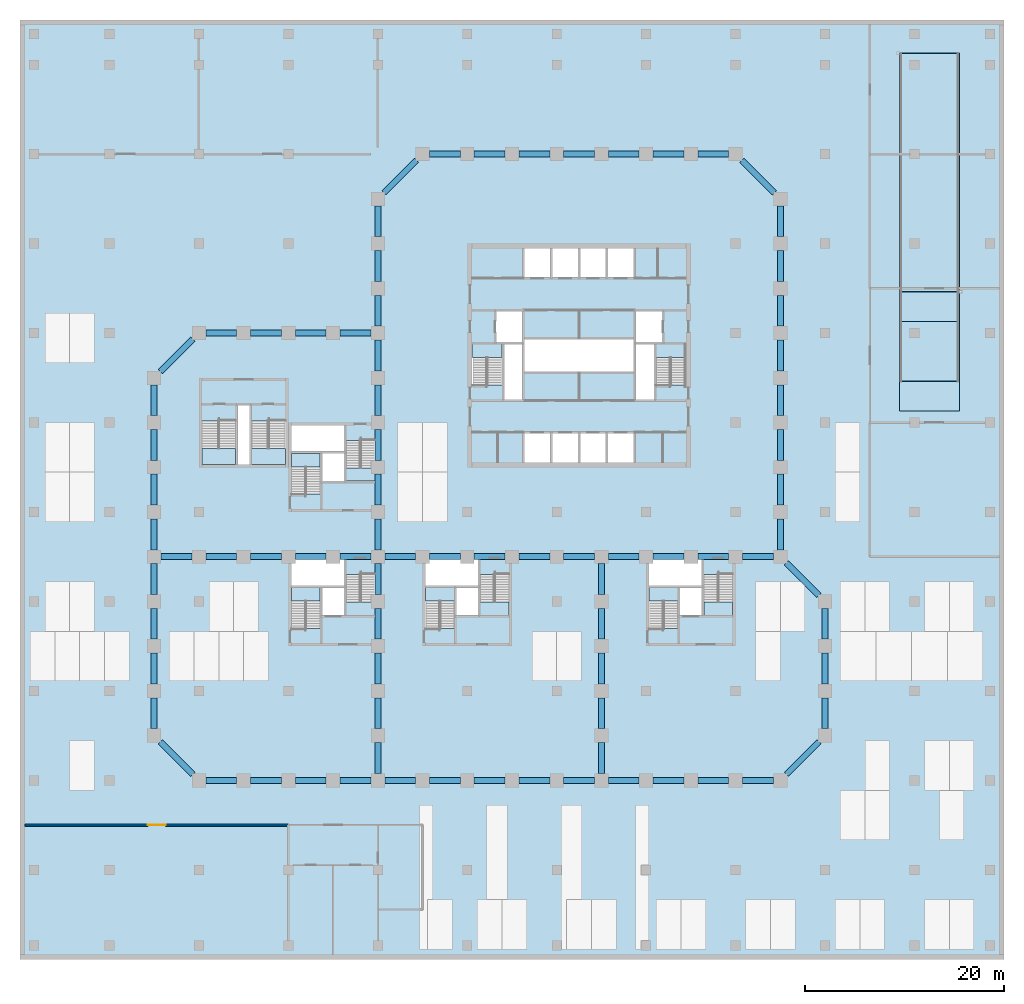
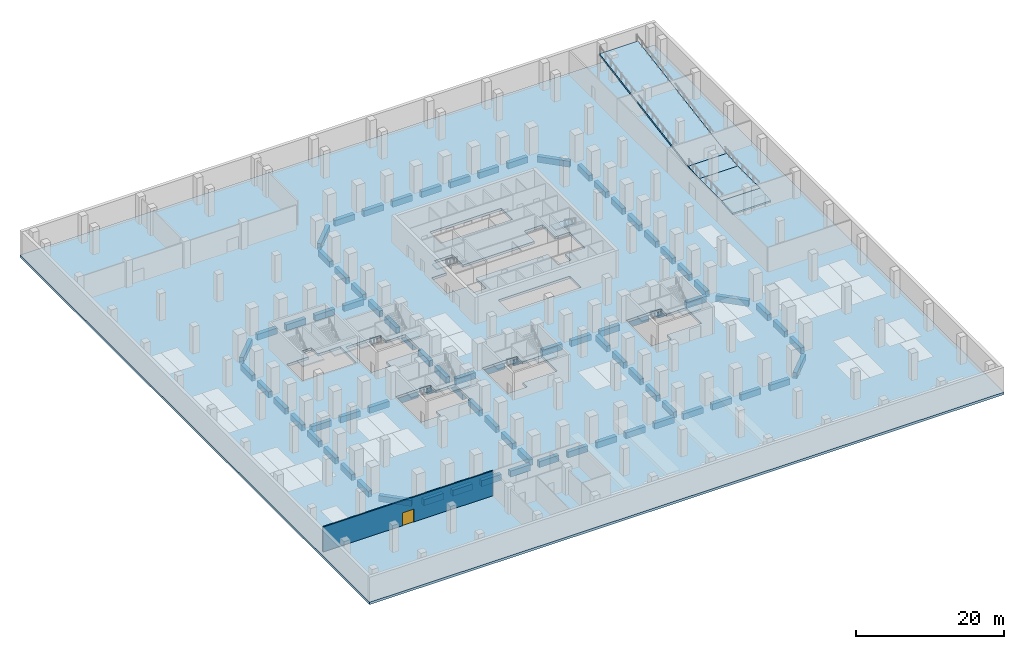
# One storey, part 3 of 16: 81 beams, 17 slabs, 1 door, 1 wall, 1 opening, 12 elements without a shape of their own.
"""IFC4 building model written with IfcOpenShell, lengths in metres."""

from ifc_helpers import new_model, si_unit, direction, frame, frame_2d, origin, origin_2d, place, context, subcontext, project, spatial, polyline, rectangle, outline, extrude, material, layer, layer_set, material_profile, profile_set, type_object, element, fill, aggregate, save


model = new_model("IFC4")

# Units and contexts
model_context = context("Model", 3, precision=1e-05, world=origin(), true_north=direction((0.0, 1.0)))
body_context = subcontext(model_context, "Body", "Model", "MODEL_VIEW")
ifc_project = project(units=[si_unit("LENGTHUNIT", "METRE"), si_unit("AREAUNIT", "SQUARE_METRE"), si_unit("VOLUMEUNIT", "CUBIC_METRE"), si_unit("PLANEANGLEUNIT", "RADIAN"), si_unit("MASSUNIT", "GRAM", prefix="KILO")], contexts=[model_context])

# Site, building, storey
site_placement = place(None, origin())
site = spatial("IfcSite", under=ifc_project, at=site_placement, CompositionType="ELEMENT")
building_placement = place(site_placement, origin())
building = spatial("IfcBuilding", under=site, at=building_placement, Name="Quoin Convention Tower", CompositionType="ELEMENT")
storey_placement = place(building_placement, frame((0.0, 0.0, -4.5)))
storey = spatial("IfcBuildingStorey", under=building, at=storey_placement, Name="B1", CompositionType="ELEMENT", Elevation=-4.5)

# Beams
ifc_material_1 = material(Name="Concrete C100 (100 MPa)", Category="concrete")
ifc_material_profile = material_profile(ifc_material_1, rectangle(XDim=0.60009765625, YDim=1.0, at=origin_2d()), Name="RC 600x1000")
ifc_profile_set = profile_set([ifc_material_profile], Name="Concrete C100 (100 MPa)")
beam_type = type_object("IfcBeamType", Name="RC 600x1000 C100", PredefinedType="SPANDREL", material=ifc_profile_set)
beam_1_placement = place(storey_placement, frame((14.114990234375, 21.885009765625, -0.89990234375), z_axis=(0.707106781187, -0.707106781187, 0.0), x_axis=(0.707106781187, 0.707106781187, 0.0)))
element("IfcBeam", 1, at=beam_1_placement, inside=storey, type_object=beam_type, Name="spd-B1-13500_22500-18000_18000", PredefinedType="SPANDREL", context=body_context, shape_type="SweptSolid", body=[
    extrude(rectangle(XDim=0.60009765625, YDim=1.0, at=origin_2d()), origin(), (0.0, 0.0, 1.0), 4.62451171875),
])
for number, where, z_axis, x_axis, name in (
    (2, (18.699951171875, 18.0, -0.89990234375), (1.0, 0.0, 0.0), (0.0, 1.0, 0.0), "spd-B1-18000_18000-22500_18000"),
    (3, (23.199951171875, 18.0, -0.89990234375), (1.0, 0.0, 0.0), (0.0, 1.0, 0.0), "spd-B1-22500_18000-27000_18000"),
    (4, (27.699951171875, 18.0, -0.89990234375), (1.0, 0.0, 0.0), (0.0, 1.0, 0.0), "spd-B1-27000_18000-31500_18000"),
    (5, (32.199951171875, 18.0, -0.89990234375), (1.0, 0.0, 0.0), (0.0, 1.0, 0.0), "spd-B1-31500_18000-36000_18000"),
    (6, (36.699951171875, 18.0, -0.89990234375), (1.0, 0.0, 0.0), (0.0, 1.0, 0.0), "spd-B1-36000_18000-40500_18000"),
    (7, (41.199951171875, 18.0, -0.89990234375), (1.0, 0.0, 0.0), (0.0, 1.0, 0.0), "spd-B1-40500_18000-45000_18000"),
    (8, (45.699951171875, 18.0, -0.89990234375), (1.0, 0.0, 0.0), (0.0, 1.0, 0.0), "spd-B1-45000_18000-49500_18000"),
    (9, (50.199951171875, 18.0, -0.89990234375), (1.0, 0.0, 0.0), (0.0, 1.0, 0.0), "spd-B1-49500_18000-54000_18000"),
    (10, (54.699951171875, 18.0, -0.89990234375), (1.0, 0.0, 0.0), (0.0, 1.0, 0.0), "spd-B1-54000_18000-58500_18000"),
    (11, (59.199951171875, 18.0, -0.89990234375), (1.0, 0.0, 0.0), (0.0, 1.0, 0.0), "spd-B1-58500_18000-63000_18000"),
    (12, (63.699951171875, 18.0, -0.89990234375), (1.0, 0.0, 0.0), (0.0, 1.0, 0.0), "spd-B1-63000_18000-67500_18000"),
    (13, (68.199951171875, 18.0, -0.89990234375), (1.0, 0.0, 0.0), (0.0, 1.0, 0.0), "spd-B1-67500_18000-72000_18000"),
    (14, (72.699951171875, 18.0, -0.89990234375), (1.0, 0.0, 0.0), (0.0, 1.0, 0.0), "spd-B1-72000_18000-76500_18000"),
):
    element("IfcBeam", number, at=place(storey_placement, frame(where, z_axis=z_axis, x_axis=x_axis)), inside=storey, type_object=beam_type, Name=name, PredefinedType="SPANDREL", context=body_context, shape_type="SweptSolid", body=[
        extrude(rectangle(XDim=0.60009765625, YDim=1.0, at=origin_2d()), origin(), (0.0, 0.0, 1.0), 3.10009765625),
    ])
beam_2_placement = place(storey_placement, frame((77.114990234375, 18.614990234375, -0.89990234375), z_axis=(0.707106781187, 0.707106781187, 0.0), x_axis=(-0.707106781187, 0.707106781187, 0.0)))
element("IfcBeam", 15, at=beam_2_placement, inside=storey, type_object=beam_type, Name="spd-B1-76500_18000-81000_22500", PredefinedType="SPANDREL", context=body_context, shape_type="SweptSolid", body=[
    extrude(rectangle(XDim=0.60009765625, YDim=1.0, at=origin_2d()), origin(), (0.0, 0.0, 1.0), 4.62451171875),
])
for number, where, z_axis, x_axis, name in (
    (16, (81.0, 23.199951171875, -0.89990234375), (0.0, 1.0, 0.0), (-1.0, 0.0, 0.0), "spd-B1-81000_22500-81000_27000"),
    (17, (81.0, 27.699951171875, -0.89990234375), (0.0, 1.0, 0.0), (-1.0, 0.0, 0.0), "spd-B1-81000_27000-81000_31500"),
    (18, (81.0, 32.199951171875, -0.89990234375), (0.0, 1.0, 0.0), (-1.0, 0.0, 0.0), "spd-B1-81000_31500-81000_36000"),
):
    element("IfcBeam", number, at=place(storey_placement, frame(where, z_axis=z_axis, x_axis=x_axis)), inside=storey, type_object=beam_type, Name=name, PredefinedType="SPANDREL", context=body_context, shape_type="SweptSolid", body=[
        extrude(rectangle(XDim=0.60009765625, YDim=1.0, at=origin_2d()), origin(), (0.0, 0.0, 1.0), 3.10009765625),
    ])
beam_3_placement = place(storey_placement, frame((80.385009765625, 36.614990234375, -0.89990234375), z_axis=(-0.707106781187, 0.707106781187, 0.0), x_axis=(-0.707106781187, -0.707106781187, 0.0)))
element("IfcBeam", 19, at=beam_3_placement, inside=storey, type_object=beam_type, Name="spd-B1-81000_36000-76500_40500", PredefinedType="SPANDREL", context=body_context, shape_type="SweptSolid", body=[
    extrude(rectangle(XDim=0.60009765625, YDim=1.0, at=origin_2d()), origin(), (0.0, 0.0, 1.0), 4.62451171875),
])
for number, where, z_axis, x_axis, name in (
    (20, (76.5, 41.199951171875, -0.89990234375), (0.0, 1.0, 0.0), (-1.0, 0.0, 0.0), "spd-B1-76500_40500-76500_45000"),
    (21, (76.5, 45.699951171875, -0.89990234375), (0.0, 1.0, 0.0), (-1.0, 0.0, 0.0), "spd-B1-76500_45000-76500_49500"),
    (22, (76.5, 50.199951171875, -0.89990234375), (0.0, 1.0, 0.0), (-1.0, 0.0, 0.0), "spd-B1-76500_49500-76500_54000"),
    (23, (76.5, 54.699951171875, -0.89990234375), (0.0, 1.0, 0.0), (-1.0, 0.0, 0.0), "spd-B1-76500_54000-76500_58500"),
    (24, (76.5, 59.199951171875, -0.89990234375), (0.0, 1.0, 0.0), (-1.0, 0.0, 0.0), "spd-B1-76500_58500-76500_63000"),
    (25, (76.5, 63.699951171875, -0.89990234375), (0.0, 1.0, 0.0), (-1.0, 0.0, 0.0), "spd-B1-76500_63000-76500_67500"),
    (26, (76.5, 68.199951171875, -0.89990234375), (0.0, 1.0, 0.0), (-1.0, 0.0, 0.0), "spd-B1-76500_67500-76500_72000"),
    (27, (76.5, 72.699951171875, -0.89990234375), (0.0, 1.0, 0.0), (-1.0, 0.0, 0.0), "spd-B1-76500_72000-76500_76500"),
):
    element("IfcBeam", number, at=place(storey_placement, frame(where, z_axis=z_axis, x_axis=x_axis)), inside=storey, type_object=beam_type, Name=name, PredefinedType="SPANDREL", context=body_context, shape_type="SweptSolid", body=[
        extrude(rectangle(XDim=0.60009765625, YDim=1.0, at=origin_2d()), origin(), (0.0, 0.0, 1.0), 3.10009765625),
    ])
beam_4_placement = place(storey_placement, frame((75.885009765625, 77.114990234375, -0.89990234375), z_axis=(-0.707106781187, 0.707106781187, 0.0), x_axis=(-0.707106781187, -0.707106781187, 0.0)))
element("IfcBeam", 28, at=beam_4_placement, inside=storey, type_object=beam_type, Name="spd-B1-76500_76500-72000_81000", PredefinedType="SPANDREL", context=body_context, shape_type="SweptSolid", body=[
    extrude(rectangle(XDim=0.60009765625, YDim=1.0, at=origin_2d()), origin(), (0.0, 0.0, 1.0), 4.62451171875),
])
for number, where, z_axis, x_axis, name in (
    (29, (71.300048828125, 81.0, -0.89990234375), (-1.0, 0.0, 0.0), (0.0, -1.0, 0.0), "spd-B1-72000_81000-67500_81000"),
    (30, (66.800048828125, 81.0, -0.89990234375), (-1.0, 0.0, 0.0), (0.0, -1.0, 0.0), "spd-B1-67500_81000-63000_81000"),
    (31, (62.300048828125, 81.0, -0.89990234375), (-1.0, 0.0, 0.0), (0.0, -1.0, 0.0), "spd-B1-63000_81000-58500_81000"),
    (32, (57.800048828125, 81.0, -0.89990234375), (-1.0, 0.0, 0.0), (0.0, -1.0, 0.0), "spd-B1-58500_81000-54000_81000"),
    (33, (53.300048828125, 81.0, -0.89990234375), (-1.0, 0.0, 0.0), (0.0, -1.0, 0.0), "spd-B1-54000_81000-49500_81000"),
    (34, (48.800048828125, 81.0, -0.89990234375), (-1.0, 0.0, 0.0), (0.0, -1.0, 0.0), "spd-B1-49500_81000-45000_81000"),
    (35, (44.300048828125, 81.0, -0.89990234375), (-1.0, 0.0, 0.0), (0.0, -1.0, 0.0), "spd-B1-45000_81000-40500_81000"),
):
    element("IfcBeam", number, at=place(storey_placement, frame(where, z_axis=z_axis, x_axis=x_axis)), inside=storey, type_object=beam_type, Name=name, PredefinedType="SPANDREL", context=body_context, shape_type="SweptSolid", body=[
        extrude(rectangle(XDim=0.60009765625, YDim=1.0, at=origin_2d()), origin(), (0.0, 0.0, 1.0), 3.10009765625),
    ])
beam_5_placement = place(storey_placement, frame((39.885009765625, 80.385009765625, -0.89990234375), z_axis=(-0.707106781187, -0.707106781187, 0.0), x_axis=(0.707106781187, -0.707106781187, 0.0)))
element("IfcBeam", 36, at=beam_5_placement, inside=storey, type_object=beam_type, Name="spd-B1-40500_81000-36000_76500", PredefinedType="SPANDREL", context=body_context, shape_type="SweptSolid", body=[
    extrude(rectangle(XDim=0.60009765625, YDim=1.0, at=origin_2d()), origin(), (0.0, 0.0, 1.0), 4.62451171875),
])
for number, where, z_axis, x_axis, name in (
    (37, (36.0, 75.800048828125, -0.89990234375), (0.0, -1.0, 0.0), (1.0, 0.0, 0.0), "spd-B1-36000_76500-36000_72000"),
    (38, (36.0, 71.300048828125, -0.89990234375), (0.0, -1.0, 0.0), (1.0, 0.0, 0.0), "spd-B1-36000_72000-36000_67500"),
    (39, (36.0, 66.800048828125, -0.89990234375), (0.0, -1.0, 0.0), (1.0, 0.0, 0.0), "spd-B1-36000_67500-36000_63000"),
    (40, (35.300048828125, 63.0, -0.89990234375), (-1.0, 0.0, 0.0), (0.0, -1.0, 0.0), "spd-B1-36000_63000-31500_63000"),
    (41, (30.800048828125, 63.0, -0.89990234375), (-1.0, 0.0, 0.0), (0.0, -1.0, 0.0), "spd-B1-31500_63000-27000_63000"),
    (42, (26.300048828125, 63.0, -0.89990234375), (-1.0, 0.0, 0.0), (0.0, -1.0, 0.0), "spd-B1-27000_63000-22500_63000"),
    (43, (21.800048828125, 63.0, -0.89990234375), (-1.0, 0.0, 0.0), (0.0, -1.0, 0.0), "spd-B1-22500_63000-18000_63000"),
):
    element("IfcBeam", number, at=place(storey_placement, frame(where, z_axis=z_axis, x_axis=x_axis)), inside=storey, type_object=beam_type, Name=name, PredefinedType="SPANDREL", context=body_context, shape_type="SweptSolid", body=[
        extrude(rectangle(XDim=0.60009765625, YDim=1.0, at=origin_2d()), origin(), (0.0, 0.0, 1.0), 3.10009765625),
    ])
beam_6_placement = place(storey_placement, frame((17.385009765625, 62.385009765625, -0.89990234375), z_axis=(-0.707106781187, -0.707106781187, 0.0), x_axis=(0.707106781187, -0.707106781187, 0.0)))
element("IfcBeam", 44, at=beam_6_placement, inside=storey, type_object=beam_type, Name="spd-B1-18000_63000-13500_58500", PredefinedType="SPANDREL", context=body_context, shape_type="SweptSolid", body=[
    extrude(rectangle(XDim=0.60009765625, YDim=1.0, at=origin_2d()), origin(), (0.0, 0.0, 1.0), 4.62451171875),
])
for number, where, z_axis, x_axis, name in (
    (45, (13.5, 57.800048828125, -0.89990234375), (0.0, -1.0, 0.0), (1.0, 0.0, 0.0), "spd-B1-13500_58500-13500_54000"),
    (46, (13.5, 53.300048828125, -0.89990234375), (0.0, -1.0, 0.0), (1.0, 0.0, 0.0), "spd-B1-13500_54000-13500_49500"),
    (47, (13.5, 48.800048828125, -0.89990234375), (0.0, -1.0, 0.0), (1.0, 0.0, 0.0), "spd-B1-13500_49500-13500_45000"),
    (48, (13.5, 44.300048828125, -0.89990234375), (0.0, -1.0, 0.0), (1.0, 0.0, 0.0), "spd-B1-13500_45000-13500_40500"),
    (49, (13.5, 39.800048828125, -0.89990234375), (0.0, -1.0, 0.0), (1.0, 0.0, 0.0), "spd-B1-13500_40500-13500_36000"),
    (50, (13.5, 35.300048828125, -0.89990234375), (0.0, -1.0, 0.0), (1.0, 0.0, 0.0), "spd-B1-13500_36000-13500_31500"),
    (51, (13.5, 30.800048828125, -0.89990234375), (0.0, -1.0, 0.0), (1.0, 0.0, 0.0), "spd-B1-13500_31500-13500_27000"),
    (52, (13.5, 26.300048828125, -0.89990234375), (0.0, -1.0, 0.0), (1.0, 0.0, 0.0), "spd-B1-13500_27000-13500_22500"),
    (53, (14.199951171875, 40.5, -0.89990234375), (1.0, 0.0, 0.0), (0.0, 1.0, 0.0), "spd-B1-13500_40500-18000_40500"),
    (54, (18.699951171875, 40.5, -0.89990234375), (1.0, 0.0, 0.0), (0.0, 1.0, 0.0), "spd-B1-18000_40500-22500_40500"),
    (55, (23.199951171875, 40.5, -0.89990234375), (1.0, 0.0, 0.0), (0.0, 1.0, 0.0), "spd-B1-22500_40500-27000_40500"),
    (56, (27.699951171875, 40.5, -0.89990234375), (1.0, 0.0, 0.0), (0.0, 1.0, 0.0), "spd-B1-27000_40500-31500_40500"),
    (57, (32.199951171875, 40.5, -0.89990234375), (1.0, 0.0, 0.0), (0.0, 1.0, 0.0), "spd-B1-31500_40500-36000_40500"),
    (58, (36.699951171875, 40.5, -0.89990234375), (1.0, 0.0, 0.0), (0.0, 1.0, 0.0), "spd-B1-36000_40500-40500_40500"),
    (59, (41.199951171875, 40.5, -0.89990234375), (1.0, 0.0, 0.0), (0.0, 1.0, 0.0), "spd-B1-40500_40500-45000_40500"),
    (60, (45.699951171875, 40.5, -0.89990234375), (1.0, 0.0, 0.0), (0.0, 1.0, 0.0), "spd-B1-45000_40500-49500_40500"),
    (61, (50.199951171875, 40.5, -0.89990234375), (1.0, 0.0, 0.0), (0.0, 1.0, 0.0), "spd-B1-49500_40500-54000_40500"),
    (62, (54.699951171875, 40.5, -0.89990234375), (1.0, 0.0, 0.0), (0.0, 1.0, 0.0), "spd-B1-54000_40500-58500_40500"),
    (63, (59.199951171875, 40.5, -0.89990234375), (1.0, 0.0, 0.0), (0.0, 1.0, 0.0), "spd-B1-58500_40500-63000_40500"),
    (64, (63.699951171875, 40.5, -0.89990234375), (1.0, 0.0, 0.0), (0.0, 1.0, 0.0), "spd-B1-63000_40500-67500_40500"),
    (65, (68.199951171875, 40.5, -0.89990234375), (1.0, 0.0, 0.0), (0.0, 1.0, 0.0), "spd-B1-67500_40500-72000_40500"),
    (66, (72.699951171875, 40.5, -0.89990234375), (1.0, 0.0, 0.0), (0.0, 1.0, 0.0), "spd-B1-72000_40500-76500_40500"),
    (67, (36.0, 18.699951171875, -0.89990234375), (0.0, 1.0, 0.0), (-1.0, 0.0, 0.0), "spd-B1-36000_18000-36000_22500"),
    (68, (36.0, 23.199951171875, -0.89990234375), (0.0, 1.0, 0.0), (-1.0, 0.0, 0.0), "spd-B1-36000_22500-36000_27000"),
    (69, (36.0, 27.699951171875, -0.89990234375), (0.0, 1.0, 0.0), (-1.0, 0.0, 0.0), "spd-B1-36000_27000-36000_31500"),
    (70, (36.0, 32.199951171875, -0.89990234375), (0.0, 1.0, 0.0), (-1.0, 0.0, 0.0), "spd-B1-36000_31500-36000_36000"),
    (71, (36.0, 36.699951171875, -0.89990234375), (0.0, 1.0, 0.0), (-1.0, 0.0, 0.0), "spd-B1-36000_36000-36000_40500"),
    (72, (36.0, 41.199951171875, -0.89990234375), (0.0, 1.0, 0.0), (-1.0, 0.0, 0.0), "spd-B1-36000_40500-36000_45000"),
    (73, (36.0, 45.699951171875, -0.89990234375), (0.0, 1.0, 0.0), (-1.0, 0.0, 0.0), "spd-B1-36000_45000-36000_49500"),
    (74, (36.0, 50.199951171875, -0.89990234375), (0.0, 1.0, 0.0), (-1.0, 0.0, 0.0), "spd-B1-36000_49500-36000_54000"),
    (75, (36.0, 54.699951171875, -0.89990234375), (0.0, 1.0, 0.0), (-1.0, 0.0, 0.0), "spd-B1-36000_54000-36000_58500"),
    (76, (36.0, 59.199951171875, -0.89990234375), (0.0, 1.0, 0.0), (-1.0, 0.0, 0.0), "spd-B1-36000_58500-36000_63000"),
    (77, (58.5, 18.699951171875, -0.89990234375), (0.0, 1.0, 0.0), (-1.0, 0.0, 0.0), "spd-B1-58500_18000-58500_22500"),
    (78, (58.5, 23.199951171875, -0.89990234375), (0.0, 1.0, 0.0), (-1.0, 0.0, 0.0), "spd-B1-58500_22500-58500_27000"),
    (79, (58.5, 27.699951171875, -0.89990234375), (0.0, 1.0, 0.0), (-1.0, 0.0, 0.0), "spd-B1-58500_27000-58500_31500"),
    (80, (58.5, 32.199951171875, -0.89990234375), (0.0, 1.0, 0.0), (-1.0, 0.0, 0.0), "spd-B1-58500_31500-58500_36000"),
    (81, (58.5, 36.699951171875, -0.89990234375), (0.0, 1.0, 0.0), (-1.0, 0.0, 0.0), "spd-B1-58500_36000-58500_40500"),
):
    element("IfcBeam", number, at=place(storey_placement, frame(where, z_axis=z_axis, x_axis=x_axis)), inside=storey, type_object=beam_type, Name=name, PredefinedType="SPANDREL", context=body_context, shape_type="SweptSolid", body=[
        extrude(rectangle(XDim=0.60009765625, YDim=1.0, at=origin_2d()), origin(), (0.0, 0.0, 1.0), 3.10009765625),
    ])

# Slabs
ifc_material_2 = material(Name="Concrete C40", Category="concrete")
ifc_layer_1 = layer(ifc_material_2, 0.300048828125)
ifc_layer_set_1 = layer_set([ifc_layer_1], Name="Concrete C40")
slab_type_1 = type_object("IfcSlabType", Name="Car ramp slab", PredefinedType="USERDEFINED", material=ifc_layer_set_1)
slab_1_placement = place(storey_placement, frame((88.5, 91.14990234375, 4.25), z_axis=(0.0, -0.164398987305, 0.986393923832), x_axis=(1.0, 0.0, 0.0)))
element("IfcSlab", 82, at=slab_1_placement, inside=storey, type_object=slab_type_1, Name="CAR RAMP 1MAIN", ObjectType="VEHICLE RAMP SLAB", PredefinedType="USERDEFINED", context=body_context, shape_type="SweptSolid", body=[
    extrude(outline(polyline([(0.0, 0.0), (6.0, 0.0), (6.0, -24.33105012119288), (0.0, -24.33105012119288), (0.0, 0.0)])), origin(), (0.0, 0.0, -1.0), 0.300048828125),
])
slab_2_placement = place(storey_placement, frame((88.5, 67.14990234375, 0.25), z_axis=(0.0, -0.083045479854, 0.996545758245), x_axis=(1.0, 0.0, 0.0)))
element("IfcSlab", 83, at=slab_2_placement, inside=storey, type_object=slab_type_1, Name="CAR RAMP 1FOOT", ObjectType="VEHICLE RAMP SLAB", PredefinedType="USERDEFINED", context=body_context, shape_type="SweptSolid", body=[
    extrude(outline(polyline([(0.0, 0.0), (6.0, 0.0), (6.0, -3.010398644698074), (0.0, -3.010398644698074), (0.0, 0.0)])), origin(), (0.0, 0.0, -1.0), 0.300048828125),
])
slab_3_placement = place(storey_placement, frame((88.5, 64.14990234375, 0.0), z_axis=(0.0, 0.0, 1.0), x_axis=(1.0, 0.0, 0.0)))
element("IfcSlab", 84, at=slab_3_placement, inside=storey, type_object=slab_type_1, Name="CAR RAMP 1FLAT", ObjectType="VEHICLE RAMP SLAB", PredefinedType="USERDEFINED", context=body_context, shape_type="SweptSolid", body=[
    extrude(outline(polyline([(0.0, 0.0), (6.0, 0.0), (6.0, -6.0), (0.0, -6.0), (0.0, 0.0)])), origin(), (0.0, 0.0, -1.0), 0.300048828125),
])
slab_4_placement = place(storey_placement, frame((88.5, 58.14990234375, 0.0), z_axis=(0.0, -0.083045479854, 0.996545758245), x_axis=(1.0, 0.0, 0.0)))
element("IfcSlab", 85, at=slab_4_placement, inside=storey, type_object=slab_type_1, Name="CAR RAMP 2TOP", ObjectType="VEHICLE RAMP SLAB", PredefinedType="USERDEFINED", context=body_context, shape_type="SweptSolid", body=[
    extrude(outline(polyline([(0.0, 0.0), (6.0, 0.0), (6.0, -3.010398644698074), (0.0, -3.010398644698074), (0.0, 0.0)])), origin(), (0.0, 0.0, -1.0), 0.300048828125),
])
ifc_material_3 = material(Name="Concrete C65", Category="concrete")
ifc_layer_2 = layer(ifc_material_3, 0.39990234375)
ifc_layer_set_2 = layer_set([ifc_layer_2], Name="Concrete C65")
slab_type_2 = type_object("IfcSlabType", Name="RC SLAB 400 C65", PredefinedType="FLOOR", material=ifc_layer_set_2)
slab_5_placement = place(storey_placement, frame((0.0, 0.0, -0.39990234375)))
element("IfcSlab", 86, at=slab_5_placement, inside=storey, type_object=slab_type_2, Name="slb-B1", PredefinedType="FLOOR", context=body_context, shape_type="SweptSolid", body=[
    extrude(outline(polyline([(0.0, 0.0), (0.0, 94.5), (99.0, 94.5), (99.0, 0.0), (0.0, 0.0)]), holes=[polyline([(30.300048828125, 33.300537109375), (30.300048828125, 34.5), (32.699951171875, 34.5), (35.699951171875, 34.5), (35.699951171875, 38.699462890625), (32.699951171875, 38.699462890625), (32.699951171875, 40.199951171875), (27.300048828125, 40.199951171875), (27.300048828125, 37.5), (27.300048828125, 33.300537109375), (30.300048828125, 33.300537109375)]), polyline([(43.800048828125, 33.300537109375), (43.800048828125, 34.5), (46.199951171875, 34.5), (49.199951171875, 34.5), (49.199951171875, 38.699462890625), (46.199951171875, 38.699462890625), (46.199951171875, 40.199951171875), (40.800048828125, 40.199951171875), (40.800048828125, 37.5), (40.800048828125, 33.300537109375), (43.800048828125, 33.300537109375)]), polyline([(27.300048828125, 53.699951171875), (27.300048828125, 51.0), (27.300048828125, 46.800537109375), (30.300048828125, 46.800537109375), (30.300048828125, 48.0), (32.699951171875, 48.0), (35.699951171875, 48.0), (35.699951171875, 52.199462890625), (32.699951171875, 52.199462890625), (32.699951171875, 53.699951171875), (27.300048828125, 53.699951171875)]), polyline([(21.800048828125, 55.85009765625), (21.800048828125, 54.1494140625), (18.300048828125, 54.1494140625), (18.300048828125, 49.800048828125), (21.800048828125, 49.800048828125), (23.199951171875, 49.800048828125), (26.699951171875, 49.800048828125), (26.699951171875, 54.1494140625), (23.199951171875, 54.1494140625), (23.199951171875, 55.85009765625), (21.800048828125, 55.85009765625)]), polyline([(47.800048828125, 65.300048828125), (47.800048828125, 62.0), (45.5, 62.0), (45.5, 57.800537109375), (48.60009765625, 57.800537109375), (48.60009765625, 56.199951171875), (50.64990234375, 56.199951171875), (50.64990234375, 59.0), (61.85009765625, 59.0), (61.85009765625, 56.199951171875), (63.89990234375, 56.199951171875), (63.89990234375, 57.800537109375), (67.0, 57.800537109375), (67.0, 62.0), (64.699951171875, 62.0), (64.699951171875, 65.300048828125), (61.85009765625, 65.300048828125), (61.85009765625, 62.5), (50.64990234375, 62.5), (50.64990234375, 65.300048828125), (47.800048828125, 65.300048828125)]), polyline([(63.300048828125, 40.199951171875), (63.300048828125, 37.5), (63.300048828125, 33.300537109375), (66.300048828125, 33.300537109375), (66.300048828125, 34.5), (68.699951171875, 34.5), (71.699951171875, 34.5), (71.699951171875, 38.699462890625), (68.699951171875, 38.699462890625), (68.699951171875, 40.199951171875), (63.300048828125, 40.199951171875)]), polyline([(56.25, 53.0), (53.449951171875, 53.0), (50.64990234375, 53.0), (50.64990234375, 50.0), (53.449951171875, 50.0), (56.25, 50.0), (59.050048828125, 50.0), (61.85009765625, 50.0), (61.85009765625, 53.0), (59.050048828125, 53.0), (56.25, 53.0)]), polyline([(61.85009765625, 68.5), (61.85009765625, 71.5), (59.050048828125, 71.5), (56.25, 71.5), (53.449951171875, 71.5), (50.64990234375, 71.5), (50.64990234375, 68.5), (53.449951171875, 68.5), (56.25, 68.5), (59.050048828125, 68.5), (61.85009765625, 68.5)])]), origin(), (0.0, 0.0, 1.0), 0.39990234375),
])

# Stair, slab
stair_type_1 = type_object("IfcStairType", Name="Exit stair two-flight 1350", PredefinedType="HALF_TURN_STAIR", material=ifc_material_2)
stair_1_placement = place(storey_placement, origin())
stair_1 = element("IfcStair", 87, at=stair_1_placement, inside=storey, type_object=stair_type_1, Name="SD1 B1", PredefinedType="HALF_TURN_STAIR")
ifc_layer_3 = layer(ifc_material_2, 0.199951171875)
ifc_layer_set_3 = layer_set([ifc_layer_3], Name="Concrete C40")
slab_type_3 = type_object("IfcSlabType", Name="Stair landing 200", PredefinedType="LANDING", material=ifc_layer_set_3)
slab_6_placement = place(storey_placement, frame((0.0, 0.0, 2.139892578125)))
slab_6 = element("IfcSlab", 88, at=slab_6_placement, type_object=slab_type_3, Name="ST1 landing 1", PredefinedType="LANDING", context=body_context, shape_type="SweptSolid", body=[
    extrude(outline(polyline([(45.5, 60.550048828125), (48.5, 60.550048828125), (48.5, 61.89990234375), (45.5, 61.89990234375), (45.5, 60.550048828125)])), origin(), (0.0, 0.0, 1.0), 0.2001953125),
])
aggregate(stair_1, [slab_6])

stair_2_placement = place(storey_placement, origin())
stair_2 = element("IfcStair", 89, at=stair_2_placement, inside=storey, type_object=stair_type_1, Name="SD2 B1", PredefinedType="HALF_TURN_STAIR")
slab_7_placement = place(storey_placement, frame((0.0, 0.0, 2.139892578125)))
slab_7 = element("IfcSlab", 90, at=slab_7_placement, type_object=slab_type_3, Name="ST2 landing 1", PredefinedType="LANDING", context=body_context, shape_type="SweptSolid", body=[
    extrude(outline(polyline([(64.0, 60.550048828125), (66.89990234375, 60.550048828125), (66.89990234375, 61.89990234375), (64.0, 61.89990234375), (64.0, 60.550048828125)])), origin(), (0.0, 0.0, 1.0), 0.2001953125),
])
aggregate(stair_2, [slab_7])

stair_3_placement = place(storey_placement, origin())
stair_3 = element("IfcStair", 91, at=stair_3_placement, inside=storey, type_object=stair_type_1, Name="SD3 B1", PredefinedType="HALF_TURN_STAIR")
slab_8_placement = place(storey_placement, frame((0.0, 0.0, 2.139892578125)))
slab_8 = element("IfcSlab", 92, at=slab_8_placement, type_object=slab_type_3, Name="ST3 landing 1", PredefinedType="LANDING", context=body_context, shape_type="SweptSolid", body=[
    extrude(outline(polyline([(27.300048828125, 49.550048828125), (30.199951171875, 49.550048828125), (30.199951171875, 50.89990234375), (27.300048828125, 50.89990234375), (27.300048828125, 49.550048828125)])), origin(), (0.0, 0.0, 1.0), 0.2001953125),
])
aggregate(stair_3, [slab_8])

stair_4_placement = place(storey_placement, origin())
stair_4 = element("IfcStair", 93, at=stair_4_placement, inside=storey, type_object=stair_type_1, Name="SD4 B1", PredefinedType="HALF_TURN_STAIR")
slab_9_placement = place(storey_placement, frame((0.0, 0.0, 2.139892578125)))
slab_9 = element("IfcSlab", 94, at=slab_9_placement, type_object=slab_type_3, Name="ST4 landing 1", PredefinedType="LANDING", context=body_context, shape_type="SweptSolid", body=[
    extrude(outline(polyline([(35.699951171875, 49.449951171875), (32.800048828125, 49.449951171875), (32.800048828125, 48.10009765625), (35.699951171875, 48.10009765625), (35.699951171875, 49.449951171875)])), origin(), (0.0, 0.0, 1.0), 0.2001953125),
])
aggregate(stair_4, [slab_9])

stair_5_placement = place(storey_placement, origin())
stair_5 = element("IfcStair", 95, at=stair_5_placement, inside=storey, type_object=stair_type_1, Name="SD5 B1", PredefinedType="HALF_TURN_STAIR")
slab_10_placement = place(storey_placement, frame((0.0, 0.0, 2.139892578125)))
slab_10 = element("IfcSlab", 96, at=slab_10_placement, type_object=slab_type_3, Name="ST5 landing 1", PredefinedType="LANDING", context=body_context, shape_type="SweptSolid", body=[
    extrude(outline(polyline([(40.800048828125, 36.050048828125), (43.699951171875, 36.050048828125), (43.699951171875, 37.39990234375), (40.800048828125, 37.39990234375), (40.800048828125, 36.050048828125)])), origin(), (0.0, 0.0, 1.0), 0.2001953125),
])
aggregate(stair_5, [slab_10])

stair_6_placement = place(storey_placement, origin())
stair_6 = element("IfcStair", 97, at=stair_6_placement, inside=storey, type_object=stair_type_1, Name="SD6 B1", PredefinedType="HALF_TURN_STAIR")
slab_11_placement = place(storey_placement, frame((0.0, 0.0, 2.139892578125)))
slab_11 = element("IfcSlab", 98, at=slab_11_placement, type_object=slab_type_3, Name="ST6 landing 1", PredefinedType="LANDING", context=body_context, shape_type="SweptSolid", body=[
    extrude(outline(polyline([(49.199951171875, 35.949951171875), (46.300048828125, 35.949951171875), (46.300048828125, 34.60009765625), (49.199951171875, 34.60009765625), (49.199951171875, 35.949951171875)])), origin(), (0.0, 0.0, 1.0), 0.2001953125),
])
aggregate(stair_6, [slab_11])

stair_7_placement = place(storey_placement, origin())
stair_7 = element("IfcStair", 99, at=stair_7_placement, inside=storey, type_object=stair_type_1, Name="SD7 B1", PredefinedType="HALF_TURN_STAIR")
slab_12_placement = place(storey_placement, frame((0.0, 0.0, 2.139892578125)))
slab_12 = element("IfcSlab", 100, at=slab_12_placement, type_object=slab_type_3, Name="ST7 landing 1", PredefinedType="LANDING", context=body_context, shape_type="SweptSolid", body=[
    extrude(outline(polyline([(27.300048828125, 36.050048828125), (30.199951171875, 36.050048828125), (30.199951171875, 37.39990234375), (27.300048828125, 37.39990234375), (27.300048828125, 36.050048828125)])), origin(), (0.0, 0.0, 1.0), 0.2001953125),
])
aggregate(stair_7, [slab_12])

stair_8_placement = place(storey_placement, origin())
stair_8 = element("IfcStair", 101, at=stair_8_placement, inside=storey, type_object=stair_type_1, Name="SD8 B1", PredefinedType="HALF_TURN_STAIR")
slab_13_placement = place(storey_placement, frame((0.0, 0.0, 2.139892578125)))
slab_13 = element("IfcSlab", 102, at=slab_13_placement, type_object=slab_type_3, Name="ST8 landing 1", PredefinedType="LANDING", context=body_context, shape_type="SweptSolid", body=[
    extrude(outline(polyline([(35.699951171875, 35.949951171875), (32.800048828125, 35.949951171875), (32.800048828125, 34.60009765625), (35.699951171875, 34.60009765625), (35.699951171875, 35.949951171875)])), origin(), (0.0, 0.0, 1.0), 0.2001953125),
])
aggregate(stair_8, [slab_13])

stair_9_placement = place(storey_placement, origin())
stair_9 = element("IfcStair", 103, at=stair_9_placement, inside=storey, type_object=stair_type_1, Name="SD9 B1", PredefinedType="HALF_TURN_STAIR")
slab_14_placement = place(storey_placement, frame((0.0, 0.0, 2.139892578125)))
slab_14 = element("IfcSlab", 104, at=slab_14_placement, type_object=slab_type_3, Name="ST9 landing 1", PredefinedType="LANDING", context=body_context, shape_type="SweptSolid", body=[
    extrude(outline(polyline([(63.300048828125, 36.050048828125), (66.199951171875, 36.050048828125), (66.199951171875, 37.39990234375), (63.300048828125, 37.39990234375), (63.300048828125, 36.050048828125)])), origin(), (0.0, 0.0, 1.0), 0.2001953125),
])
aggregate(stair_9, [slab_14])

stair_10_placement = place(storey_placement, origin())
stair_10 = element("IfcStair", 105, at=stair_10_placement, inside=storey, type_object=stair_type_1, Name="SD10 B1", PredefinedType="HALF_TURN_STAIR")
slab_15_placement = place(storey_placement, frame((0.0, 0.0, 2.139892578125)))
slab_15 = element("IfcSlab", 106, at=slab_15_placement, type_object=slab_type_3, Name="ST10 landing 1", PredefinedType="LANDING", context=body_context, shape_type="SweptSolid", body=[
    extrude(outline(polyline([(71.699951171875, 35.949951171875), (68.800048828125, 35.949951171875), (68.800048828125, 34.60009765625), (71.699951171875, 34.60009765625), (71.699951171875, 35.949951171875)])), origin(), (0.0, 0.0, 1.0), 0.2001953125),
])
aggregate(stair_10, [slab_15])

stair_type_2 = type_object("IfcStairType", Name="Exit stair two-flight 1600", PredefinedType="HALF_TURN_STAIR", material=ifc_material_2)
stair_11_placement = place(storey_placement, origin())
stair_11 = element("IfcStair", 107, at=stair_11_placement, inside=storey, type_object=stair_type_2, Name="SD11 B1", PredefinedType="HALF_TURN_STAIR")
slab_16_placement = place(storey_placement, frame((0.0, 0.0, 2.139892578125)))
slab_16 = element("IfcSlab", 108, at=slab_16_placement, type_object=slab_type_3, Name="ST11 landing 1", PredefinedType="LANDING", context=body_context, shape_type="SweptSolid", body=[
    extrude(outline(polyline([(21.699951171875, 51.39990234375), (18.300048828125, 51.39990234375), (18.300048828125, 49.800048828125), (21.699951171875, 49.800048828125), (21.699951171875, 51.39990234375)])), origin(), (0.0, 0.0, 1.0), 0.2001953125),
])
aggregate(stair_11, [slab_16])

stair_12_placement = place(storey_placement, origin())
stair_12 = element("IfcStair", 109, at=stair_12_placement, inside=storey, type_object=stair_type_2, Name="SD12 B1", PredefinedType="HALF_TURN_STAIR")
slab_17_placement = place(storey_placement, frame((0.0, 0.0, 2.139892578125)))
slab_17 = element("IfcSlab", 110, at=slab_17_placement, type_object=slab_type_3, Name="ST12 landing 1", PredefinedType="LANDING", context=body_context, shape_type="SweptSolid", body=[
    extrude(outline(polyline([(26.699951171875, 51.39990234375), (23.300048828125, 51.39990234375), (23.300048828125, 49.800048828125), (26.699951171875, 49.800048828125), (26.699951171875, 51.39990234375)])), origin(), (0.0, 0.0, 1.0), 0.2001953125),
])
aggregate(stair_12, [slab_17])

# Wall, opening, door
ifc_material_4 = material(Name="Plasterboard")
ifc_layer_4 = layer(ifc_material_4, 0.012451171875, Name="Finish")
ifc_material_5 = material(Name="Steel stud framing", Category="steel")
ifc_layer_5 = layer(ifc_material_5, 0.175048828125, Name="Structure")
ifc_layer_6 = layer(ifc_material_4, 0.012451171875, Name="Finish")
ifc_layer_set_4 = layer_set([ifc_layer_4, ifc_layer_5, ifc_layer_6], Name="Steel stud framing")
wall_type = type_object("IfcWallType", Name="Car park wall 200", PredefinedType="PARTITIONING", material=ifc_layer_set_4)
wall_placement = place(storey_placement, frame((0.5, 13.5, 0.0), z_axis=(0.0, 0.0, 1.0), x_axis=(1.0, 0.0, 0.0)))
wall = element("IfcWall", 111, at=wall_placement, inside=storey, type_object=wall_type, Name="pw-B1-011", PredefinedType="PARTITIONING", context=body_context, shape_type="SweptSolid", body=[
    extrude(rectangle(XDim=26.5, YDim=0.199951171875, at=frame_2d((13.25, 0.0))), origin(), (0.0, 0.0, 1.0), 4.10009765625),
])
opening_placement = place(wall_placement, frame((12.35009765625, 0.0, 0.0)))
opening = element("IfcOpeningElement", 112, at=opening_placement, cuts=wall, Name="Opening DPDB1-04", PredefinedType="OPENING", context=body_context, shape_type="SweptSolid", body=[
    extrude(rectangle(XDim=1.800048828125, YDim=2.10009765625, at=frame_2d((0.89990234375, 1.050048828125))), frame((0.0, 0.10986328125, 0.0), z_axis=(0.0, -1.0, 0.0), x_axis=(1.0, 0.0, 0.0)), (0.0, 0.0, 1.0), 0.219970703125),
])
ifc_material_6 = material(Name="Steel door leaf", Category="steel")
door_type = type_object("IfcDoorType", Name="Double leaf door 1800", OperationType="DOUBLE_DOOR_SINGLE_SWING", PredefinedType="DOOR", material=ifc_material_6)
door_placement = place(opening_placement, origin())
door = element("IfcDoor", 113, at=door_placement, inside=storey, type_object=door_type, Name="dr-B1-001", OperationType="DOUBLE_DOOR_SINGLE_SWING", OverallHeight=2.10009765625, OverallWidth=1.800048828125, PredefinedType="DOOR", context=body_context, shape_type="SweptSolid", body=[
    extrude(rectangle(XDim=1.800048828125, YDim=2.10009765625, at=frame_2d((0.89990234375, 1.050048828125))), frame((0.0, 0.02490234375, 0.0), z_axis=(0.0, -1.0, 0.0), x_axis=(1.0, 0.0, 0.0)), (0.0, 0.0, 1.0), 0.050048828125),
])
fill(opening, door)

save(model, "model.ifc")
